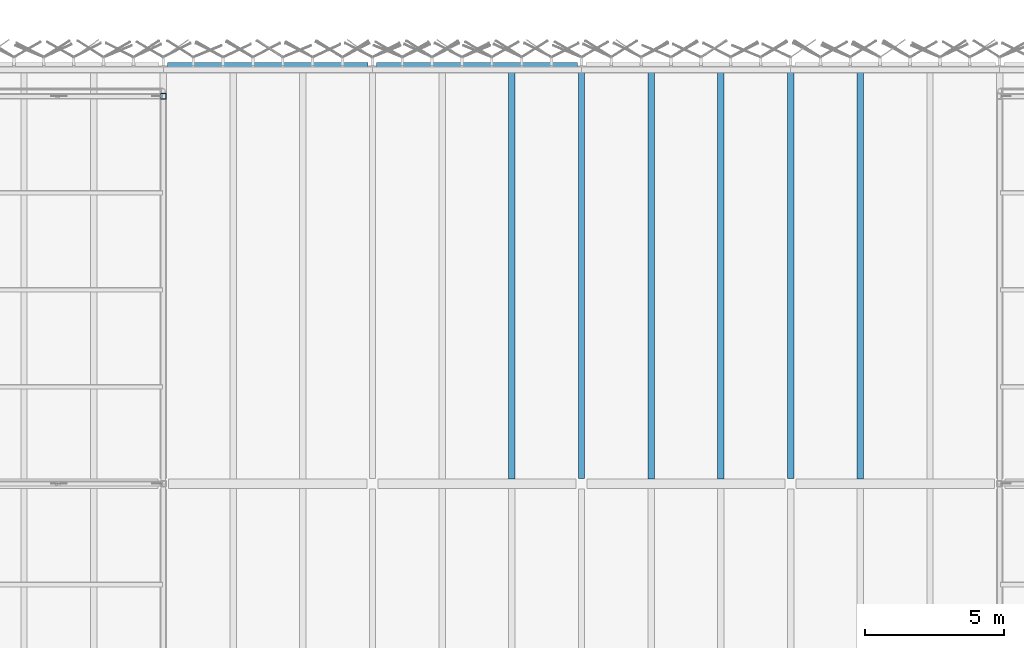
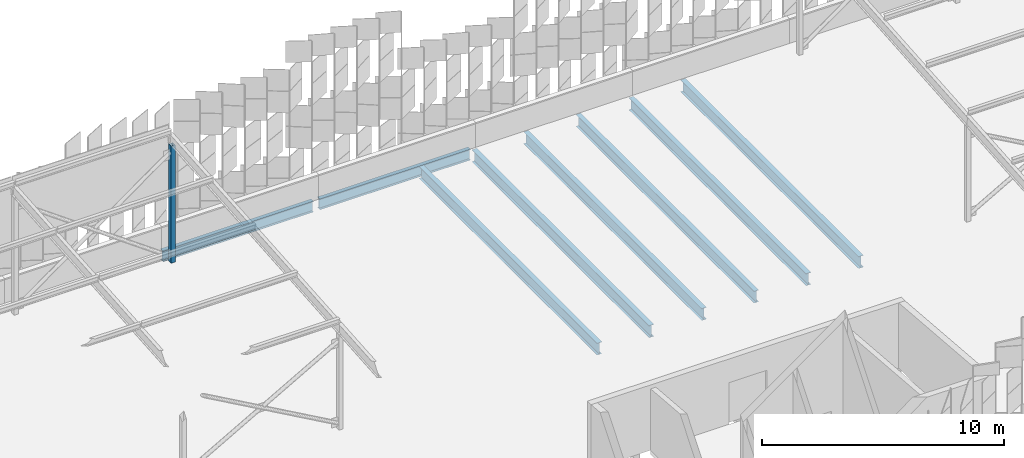
# One storey, part 100 of 483: 8 beams, 1 member.
"""IFC4 building model written with IfcOpenShell, lengths in metres."""

from ifc_helpers import new_model, si_unit, direction, frame, origin, origin_2d, place, context, subcontext, project, spatial, hollow_rectangle, i_section, extrude, material, material_profile, profile_set, type_object, element, save


model = new_model("IFC4")

# Units and contexts
model_context = context("Model", 3, precision=1e-05, world=origin(), true_north=direction((0.0, 1.0)))
body_context = subcontext(model_context, "Body", "Model", "MODEL_VIEW")
ifc_project = project(units=[si_unit("LENGTHUNIT", "METRE"), si_unit("AREAUNIT", "SQUARE_METRE"), si_unit("VOLUMEUNIT", "CUBIC_METRE"), si_unit("PLANEANGLEUNIT", "RADIAN"), si_unit("MASSUNIT", "GRAM", prefix="KILO")], contexts=[model_context])

# Site, building, storey
site_placement = place(None, origin())
site = spatial("IfcSite", under=ifc_project, at=site_placement, CompositionType="ELEMENT")
building_placement = place(site_placement, origin())
building = spatial("IfcBuilding", under=site, at=building_placement, Name="Parallax Yard Mobility Hub", CompositionType="ELEMENT")
storey_placement = place(building_placement, frame((0.0, 0.0, 13.199951171875)))
storey = spatial("IfcBuildingStorey", under=building, at=storey_placement, Name="L04", CompositionType="ELEMENT", Elevation=13.199951171875)

# Member
ifc_material_1 = material(Name="Steel ASTM A500 Gr C", Category="steel")
ifc_material_profile_1 = material_profile(ifc_material_1, hollow_rectangle(XDim=0.203125, YDim=0.203125, WallThickness=0.009521484375, at=origin_2d()), Name="HSS203x203x9.5")
ifc_profile_set_1 = profile_set([ifc_material_profile_1], Name="Steel ASTM A500 Gr C")
member_type = type_object("IfcMemberType", Name="Canopy post HSS203x203x9.5", PredefinedType="POST", material=ifc_profile_set_1)
member_placement = place(storey_placement, frame((120.0, 141.39990234375, 0.0), z_axis=(0.0, 0.0, 1.0), x_axis=(1.0, 0.0, 0.0)))
element("IfcMember", 1, at=member_placement, inside=storey, type_object=member_type, Name="Canopy post RC/N-B5", PredefinedType="POST", context=body_context, shape_type="SweptSolid", body=[
    extrude(hollow_rectangle(XDim=0.203125, YDim=0.203125, WallThickness=0.009521484375, at=origin_2d()), origin(), (0.0, 0.0, 1.0), 5.922119140625),
])

# Beams
ifc_material_2 = material(Name="Steel ASTM A992", Category="steel")
ifc_material_profile_2 = material_profile(ifc_material_2, i_section(OverallWidth=0.208984375, OverallDepth=0.532958984375, WebThickness=0.01025390625, FlangeThickness=0.015625, FilletRadius=0.0126953125, at=origin_2d()), Name="W530x92")
ifc_profile_set_2 = profile_set([ifc_material_profile_2], Name="Steel ASTM A992")
beam_type_1 = type_object("IfcBeamType", Name="W530x92 edge beam", PredefinedType="SPANDREL", material=ifc_profile_set_2)
for number, where, z_axis, x_axis, name in (
    (2, (120.152587890625, 142.5, -0.406494140625), (1.0, 0.0, 0.0), (0.0, 1.0, 0.0), "Edge beam SB5 level L04, line V of ramped parking decks, span 13"),
    (3, (127.652587890625, 142.5, -0.406494140625), (1.0, 0.0, 0.0), (0.0, 1.0, 0.0), "Edge beam SB5 level L04, line V of ramped parking decks, span 14"),
):
    element("IfcBeam", number, at=place(storey_placement, frame(where, z_axis=z_axis, x_axis=x_axis)), inside=storey, type_object=beam_type_1, Name=name, PredefinedType="SPANDREL", context=body_context, shape_type="SweptSolid", body=[
        extrude(i_section(OverallWidth=0.208984375, OverallDepth=0.532958984375, WebThickness=0.01025390625, FlangeThickness=0.015625, FilletRadius=0.0126953125, at=origin_2d()), origin(), (0.0, 0.0, 1.0), 7.19482421875),
    ])
ifc_material_profile_3 = material_profile(ifc_material_2, i_section(OverallWidth=0.22802734375, OverallDepth=0.60205078125, WebThickness=0.010498046875, FlangeThickness=0.014892578125, FilletRadius=0.0126953125, at=origin_2d()), Name="W610x101")
ifc_profile_set_3 = profile_set([ifc_material_profile_3], Name="Steel ASTM A992")
beam_type_2 = type_object("IfcBeamType", Name="W610x101 secondary beam", PredefinedType="JOIST", material=ifc_profile_set_3)
for number, where, z_axis, x_axis, name in (
    (4, (137.5, 127.66259765625, -0.44091796875), (0.0, 1.0, 0.0), (-1.0, 0.0, 0.0), "Secondary beam B3 level L04, 2.5 m east of line 19 of ramped parking decks, span 2"),
    (5, (145.0, 127.66259765625, -0.44091796875), (0.0, 1.0, 0.0), (-1.0, 0.0, 0.0), "Secondary beam B3 level L04, 2.5 m east of line 20 of ramped parking decks, span 2"),
    (6, (132.5, 127.66259765625, -0.44091796875), (0.0, 1.0, 0.0), (-1.0, 0.0, 0.0), "Secondary beam B3 level L04, 5 m east of line 18 of ramped parking decks, span 2"),
    (7, (140.0, 127.66259765625, -0.44091796875), (0.0, 1.0, 0.0), (-1.0, 0.0, 0.0), "Secondary beam B3 level L04, 5 m east of line 19 of ramped parking decks, span 2"),
):
    element("IfcBeam", number, at=place(storey_placement, frame(where, z_axis=z_axis, x_axis=x_axis)), inside=storey, type_object=beam_type_2, Name=name, PredefinedType="JOIST", context=body_context, shape_type="SweptSolid", body=[
        extrude(i_section(OverallWidth=0.22802734375, OverallDepth=0.60205078125, WebThickness=0.010498046875, FlangeThickness=0.014892578125, FilletRadius=0.0126953125, at=origin_2d()), origin(), (0.0, 0.0, 1.0), 14.73291015625),
    ])
ifc_material_profile_4 = material_profile(ifc_material_2, i_section(OverallWidth=0.22900390625, OverallDepth=0.612060546875, WebThickness=0.011962890625, FlangeThickness=0.01953125, FilletRadius=0.0126953125, at=origin_2d()), Name="W610x125")
ifc_profile_set_4 = profile_set([ifc_material_profile_4], Name="Steel ASTM A992")
beam_type_3 = type_object("IfcBeamType", Name="W610x125 girder", PredefinedType="BEAM", material=ifc_profile_set_4)
beam_1_placement = place(storey_placement, frame((135.0, 127.6904296875, -0.446044921875), z_axis=(0.0, 1.0, 0.0), x_axis=(-1.0, 0.0, 0.0)))
element("IfcBeam", 8, at=beam_1_placement, inside=storey, type_object=beam_type_3, Name="Girder G3 level L04, line 19 of ramped parking decks, span 2", PredefinedType="BEAM", context=body_context, shape_type="SweptSolid", body=[
    extrude(i_section(OverallWidth=0.22900390625, OverallDepth=0.612060546875, WebThickness=0.011962890625, FlangeThickness=0.01953125, FilletRadius=0.0126953125, at=origin_2d()), origin(), (0.0, 0.0, 1.0), 14.656005859375),
])
beam_2_placement = place(storey_placement, frame((142.5, 127.68798828125, -0.446044921875), z_axis=(0.0, 1.0, 0.0), x_axis=(-1.0, 0.0, 0.0)))
element("IfcBeam", 9, at=beam_2_placement, inside=storey, type_object=beam_type_3, Name="Girder G3 level L04, line 20 of ramped parking decks, span 2", PredefinedType="BEAM", context=body_context, shape_type="SweptSolid", body=[
    extrude(i_section(OverallWidth=0.22900390625, OverallDepth=0.612060546875, WebThickness=0.011962890625, FlangeThickness=0.01953125, FilletRadius=0.0126953125, at=origin_2d()), origin(), (0.0, 0.0, 1.0), 14.658447265625),
])

save(model, "model.ifc")
